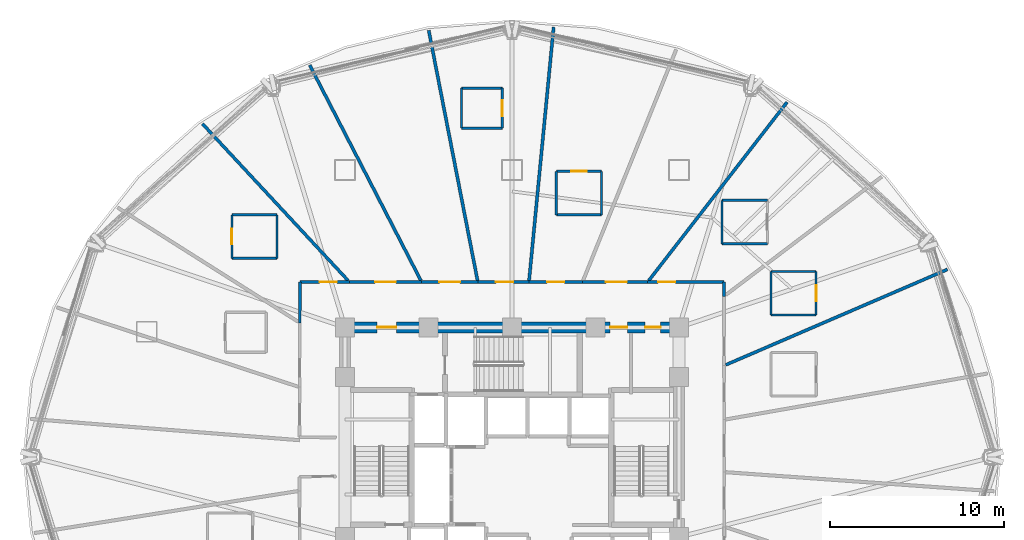
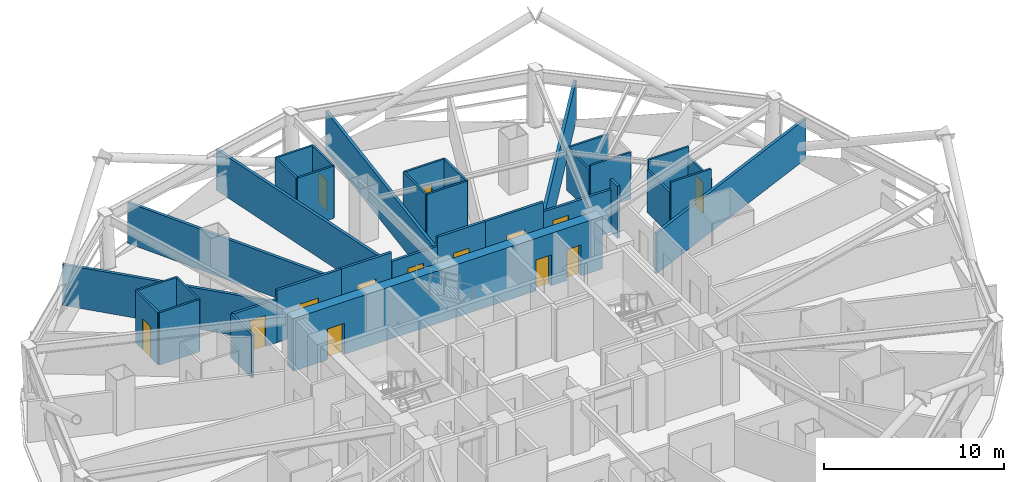
# One storey, part 10 of 16: 35 walls, 14 doors, 14 openings.
"""IFC4 building model written with IfcOpenShell, lengths in metres."""

from ifc_helpers import new_model, si_unit, direction, frame, frame_2d, origin, place, context, subcontext, project, spatial, rectangle, extrude, material, layer, layer_set, type_object, element, fill, save


model = new_model("IFC4")

# Units and contexts
model_context = context("Model", 3, precision=1e-05, world=origin(), true_north=direction((0.0, 1.0)))
body_context = subcontext(model_context, "Body", "Model", "MODEL_VIEW")
ifc_project = project(units=[si_unit("LENGTHUNIT", "METRE"), si_unit("AREAUNIT", "SQUARE_METRE"), si_unit("VOLUMEUNIT", "CUBIC_METRE"), si_unit("PLANEANGLEUNIT", "RADIAN"), si_unit("MASSUNIT", "GRAM", prefix="KILO")], contexts=[model_context])

# Site, building, storey
site_placement = place(None, origin())
site = spatial("IfcSite", under=ifc_project, at=site_placement, CompositionType="ELEMENT")
building_placement = place(site_placement, origin())
building = spatial("IfcBuilding", under=site, at=building_placement, Name="Vantalir Tower", CompositionType="ELEMENT")
storey_placement = place(building_placement, frame((0.0, 0.0, 64.5)))
storey = spatial("IfcBuildingStorey", under=building, at=storey_placement, Name="L15", CompositionType="ELEMENT", Elevation=64.5)

# Walls
ifc_material_1 = material(Name="Moisture-resistant en-suite partition", Category="gypsum")
ifc_layer_1 = layer(ifc_material_1, 0.125)
ifc_layer_set_1 = layer_set([ifc_layer_1], Name="Moisture-resistant en-suite partition")
wall_type_1 = type_object("IfcWallType", Name="WL-BATH-125", PredefinedType="PARTITIONING", material=ifc_layer_set_1)
for number, where, z_axis, x_axis, name in (
    (1, (46.386962890625, 33.1640625, 0.0), (0.0, 0.0, 1.0), (1.0, 0.0, 0.0), "L15 En-suite 02 South Wall"),
    (2, (46.386962890625, 35.6640625, 0.0), (0.0, 0.0, 1.0), (1.0, 0.0, 0.0), "L15 En-suite 02 North Wall"),
):
    element("IfcWall", number, at=place(storey_placement, frame(where, z_axis=z_axis, x_axis=x_axis)), inside=storey, type_object=wall_type_1, Name=name, PredefinedType="PARTITIONING", context=body_context, shape_type="SweptSolid", body=[
        extrude(rectangle(XDim=2.60009765625, YDim=0.125, at=frame_2d((1.300048828125, 0.0))), origin(), (0.0, 0.0, 1.0), 3.550048828125),
    ])
wall_1_placement = place(storey_placement, frame((46.386962890625, 33.1640625, 0.0), z_axis=(0.0, 0.0, 1.0), x_axis=(0.0, 1.0, 0.0)))
element("IfcWall", 3, at=wall_1_placement, inside=storey, type_object=wall_type_1, Name="L15 En-suite 02 West Wall", PredefinedType="PARTITIONING", context=body_context, shape_type="SweptSolid", body=[
    extrude(rectangle(XDim=2.5, YDim=0.125, at=frame_2d((1.25, 0.0))), origin(), (0.0, 0.0, 1.0), 2.887939453125),
])

# Wall, opening, door
wall_2_placement = place(storey_placement, frame((48.987060546875, 33.1640625, 0.0), z_axis=(0.0, 0.0, 1.0), x_axis=(0.0, 1.0, 0.0)))
wall_2 = element("IfcWall", 4, at=wall_2_placement, inside=storey, type_object=wall_type_1, Name="L15 En-suite 02 East Wall", PredefinedType="PARTITIONING", context=body_context, shape_type="SweptSolid", body=[
    extrude(rectangle(XDim=2.5, YDim=0.125, at=frame_2d((1.25, 0.0))), origin(), (0.0, 0.0, 1.0), 2.887939453125),
])
opening_1_placement = place(wall_2_placement, frame((0.800048828125, 0.0, 0.0)))
opening_1 = element("IfcOpeningElement", 5, at=opening_1_placement, cuts=wall_2, Name="Opening D-WC", PredefinedType="OPENING", context=body_context, shape_type="SweptSolid", body=[
    extrude(rectangle(XDim=0.89990234375, YDim=2.10009765625, at=frame_2d((0.449951171875, 1.050048828125))), frame((0.0, 0.072509765625, 0.0), z_axis=(0.0, -1.0, 0.0), x_axis=(1.0, 0.0, 0.0)), (0.0, 0.0, 1.0), 0.14501953125),
])
ifc_material_2 = material(Name="Moisture-resistant hardwood door", Category="wood")
door_type_1 = type_object("IfcDoorType", Name="DR-ENSUITE-900", OperationType="NOTDEFINED", PredefinedType="DOOR", material=ifc_material_2)
door_1_placement = place(opening_1_placement, origin())
door_1 = element("IfcDoor", 6, at=door_1_placement, inside=storey, type_object=door_type_1, Name="L15 En-suite 02 Door", OperationType="SINGLE_SWING_RIGHT", OverallHeight=2.10009765625, OverallWidth=0.89990234375, PredefinedType="DOOR", context=body_context, shape_type="SweptSolid", body=[
    extrude(rectangle(XDim=0.89990234375, YDim=2.10009765625, at=frame_2d((0.449951171875, 1.050048828125))), frame((0.0, 0.02490234375, 0.0), z_axis=(0.0, -1.0, 0.0), x_axis=(1.0, 0.0, 0.0)), (0.0, 0.0, 1.0), 0.050048828125),
])
fill(opening_1, door_1)

# Walls
wall_3_placement = place(storey_placement, frame((43.5830078125, 37.259033203125, 0.0), z_axis=(0.0, 0.0, 1.0), x_axis=(1.0, 0.0, 0.0)))
element("IfcWall", 7, at=wall_3_placement, inside=storey, type_object=wall_type_1, Name="L15 En-suite 03 South Wall", PredefinedType="PARTITIONING", context=body_context, shape_type="SweptSolid", body=[
    extrude(rectangle(XDim=2.60009765625, YDim=0.125, at=frame_2d((1.300048828125, 0.0))), origin(), (0.0, 0.0, 1.0), 3.177978515625),
])
wall_4_placement = place(storey_placement, frame((43.5830078125, 39.759033203125, 0.0), z_axis=(0.0, 0.0, 1.0), x_axis=(1.0, 0.0, 0.0)))
element("IfcWall", 8, at=wall_4_placement, inside=storey, type_object=wall_type_1, Name="L15 En-suite 03 North Wall", PredefinedType="PARTITIONING", context=body_context, shape_type="SweptSolid", body=[
    extrude(rectangle(XDim=2.60009765625, YDim=0.125, at=frame_2d((1.300048828125, 0.0))), origin(), (0.0, 0.0, 1.0), 2.887939453125),
])
wall_5_placement = place(storey_placement, frame((43.5830078125, 37.259033203125, 0.0), z_axis=(0.0, 0.0, 1.0), x_axis=(0.0, 1.0, 0.0)))
element("IfcWall", 9, at=wall_5_placement, inside=storey, type_object=wall_type_1, Name="L15 En-suite 03 West Wall", PredefinedType="PARTITIONING", context=body_context, shape_type="SweptSolid", body=[
    extrude(rectangle(XDim=2.5, YDim=0.125, at=frame_2d((1.25, 0.0))), origin(), (0.0, 0.0, 1.0), 2.887939453125),
])
wall_6_placement = place(storey_placement, frame((34.044921875, 38.927001953125, 0.0), z_axis=(0.0, 0.0, 1.0), x_axis=(1.0, 0.0, 0.0)))
element("IfcWall", 10, at=wall_6_placement, inside=storey, type_object=wall_type_1, Name="L15 En-suite 05 South Wall", PredefinedType="PARTITIONING", context=body_context, shape_type="SweptSolid", body=[
    extrude(rectangle(XDim=2.60009765625, YDim=0.125, at=frame_2d((1.300048828125, 0.0))), origin(), (0.0, 0.0, 1.0), 3.550048828125),
])

# Wall, opening, door
wall_7_placement = place(storey_placement, frame((34.044921875, 41.427001953125, 0.0), z_axis=(0.0, 0.0, 1.0), x_axis=(1.0, 0.0, 0.0)))
wall_7 = element("IfcWall", 11, at=wall_7_placement, inside=storey, type_object=wall_type_1, Name="L15 En-suite 05 North Wall", PredefinedType="PARTITIONING", context=body_context, shape_type="SweptSolid", body=[
    extrude(rectangle(XDim=2.60009765625, YDim=0.125, at=frame_2d((1.300048828125, 0.0))), origin(), (0.0, 0.0, 1.0), 3.550048828125),
])
opening_2_placement = place(wall_7_placement, frame((0.85009765625, 0.0, 0.0)))
opening_2 = element("IfcOpeningElement", 12, at=opening_2_placement, cuts=wall_7, Name="Opening D-WC", PredefinedType="OPENING", context=body_context, shape_type="SweptSolid", body=[
    extrude(rectangle(XDim=0.89990234375, YDim=2.10009765625, at=frame_2d((0.449951171875, 1.050048828125))), frame((0.0, 0.072509765625, 0.0), z_axis=(0.0, -1.0, 0.0), x_axis=(1.0, 0.0, 0.0)), (0.0, 0.0, 1.0), 0.14501953125),
])
door_2_placement = place(opening_2_placement, frame((0.89990234375, 0.0, 0.0), z_axis=(0.0, 0.0, 1.0), x_axis=(-1.0, 0.0, 0.0)))
door_2 = element("IfcDoor", 13, at=door_2_placement, inside=storey, type_object=door_type_1, Name="L15 En-suite 05 Door", OperationType="SINGLE_SWING_LEFT", OverallHeight=2.10009765625, OverallWidth=0.89990234375, PredefinedType="DOOR", context=body_context, shape_type="SweptSolid", body=[
    extrude(rectangle(XDim=0.89990234375, YDim=2.10009765625, at=frame_2d((0.449951171875, 1.050048828125))), frame((0.0, 0.02490234375, 0.0), z_axis=(0.0, -1.0, 0.0), x_axis=(1.0, 0.0, 0.0)), (0.0, 0.0, 1.0), 0.050048828125),
])
fill(opening_2, door_2)

# Walls
for number, where, z_axis, x_axis, name in (
    (14, (34.044921875, 38.927001953125, 0.0), (0.0, 0.0, 1.0), (0.0, 1.0, 0.0), "L15 En-suite 05 West Wall"),
    (15, (36.64501953125, 38.927001953125, 0.0), (0.0, 0.0, 1.0), (0.0, 1.0, 0.0), "L15 En-suite 05 East Wall"),
):
    element("IfcWall", number, at=place(storey_placement, frame(where, z_axis=z_axis, x_axis=x_axis)), inside=storey, type_object=wall_type_1, Name=name, PredefinedType="PARTITIONING", context=body_context, shape_type="SweptSolid", body=[
        extrude(rectangle(XDim=2.5, YDim=0.125, at=frame_2d((1.25, 0.0))), origin(), (0.0, 0.0, 1.0), 3.550048828125),
    ])
for number, where, z_axis, x_axis, name in (
    (16, (28.593017578125, 43.906005859375, 0.0), (0.0, 0.0, 1.0), (1.0, 0.0, 0.0), "L15 En-suite 06 South Wall"),
    (17, (28.593017578125, 46.2060546875, 0.0), (0.0, 0.0, 1.0), (1.0, 0.0, 0.0), "L15 En-suite 06 North Wall"),
):
    element("IfcWall", number, at=place(storey_placement, frame(where, z_axis=z_axis, x_axis=x_axis)), inside=storey, type_object=wall_type_1, Name=name, PredefinedType="PARTITIONING", context=body_context, shape_type="SweptSolid", body=[
        extrude(rectangle(XDim=2.35009765625, YDim=0.125, at=frame_2d((1.175048828125, 0.0))), origin(), (0.0, 0.0, 1.0), 3.550048828125),
    ])
wall_8_placement = place(storey_placement, frame((28.593017578125, 43.906005859375, 0.0), z_axis=(0.0, 0.0, 1.0), x_axis=(0.0, 1.0, 0.0)))
element("IfcWall", 18, at=wall_8_placement, inside=storey, type_object=wall_type_1, Name="L15 En-suite 06 West Wall", PredefinedType="PARTITIONING", context=body_context, shape_type="SweptSolid", body=[
    extrude(rectangle(XDim=2.300048828125, YDim=0.125, at=frame_2d((1.14990234375, 0.0))), origin(), (0.0, 0.0, 1.0), 3.550048828125),
])

# Wall, opening, door
wall_9_placement = place(storey_placement, frame((30.943115234375, 43.906005859375, 0.0), z_axis=(0.0, 0.0, 1.0), x_axis=(0.0, 1.0, 0.0)))
wall_9 = element("IfcWall", 19, at=wall_9_placement, inside=storey, type_object=wall_type_1, Name="L15 En-suite 06 East Wall", PredefinedType="PARTITIONING", context=body_context, shape_type="SweptSolid", body=[
    extrude(rectangle(XDim=2.300048828125, YDim=0.125, at=frame_2d((1.14990234375, 0.0))), origin(), (0.0, 0.0, 1.0), 3.550048828125),
])
opening_3_placement = place(wall_9_placement, frame((0.699951171875, 0.0, 0.0)))
opening_3 = element("IfcOpeningElement", 20, at=opening_3_placement, cuts=wall_9, Name="Opening D-WC", PredefinedType="OPENING", context=body_context, shape_type="SweptSolid", body=[
    extrude(rectangle(XDim=0.89990234375, YDim=2.10009765625, at=frame_2d((0.449951171875, 1.050048828125))), frame((0.0, 0.072509765625, 0.0), z_axis=(0.0, -1.0, 0.0), x_axis=(1.0, 0.0, 0.0)), (0.0, 0.0, 1.0), 0.14501953125),
])
door_3_placement = place(opening_3_placement, origin())
door_3 = element("IfcDoor", 21, at=door_3_placement, inside=storey, type_object=door_type_1, Name="L15 En-suite 06 Door", OperationType="SINGLE_SWING_RIGHT", OverallHeight=2.10009765625, OverallWidth=0.89990234375, PredefinedType="DOOR", context=body_context, shape_type="SweptSolid", body=[
    extrude(rectangle(XDim=0.89990234375, YDim=2.10009765625, at=frame_2d((0.449951171875, 1.050048828125))), frame((0.0, 0.02490234375, 0.0), z_axis=(0.0, -1.0, 0.0), x_axis=(1.0, 0.0, 0.0)), (0.0, 0.0, 1.0), 0.050048828125),
])
fill(opening_3, door_3)

# Walls
for number, where, z_axis, x_axis, name in (
    (22, (15.39697265625, 36.426025390625, 0.0), (0.0, 0.0, 1.0), (1.0, 0.0, 0.0), "L15 En-suite 09 South Wall"),
    (23, (15.39697265625, 38.926025390625, 0.0), (0.0, 0.0, 1.0), (1.0, 0.0, 0.0), "L15 En-suite 09 North Wall"),
):
    element("IfcWall", number, at=place(storey_placement, frame(where, z_axis=z_axis, x_axis=x_axis)), inside=storey, type_object=wall_type_1, Name=name, PredefinedType="PARTITIONING", context=body_context, shape_type="SweptSolid", body=[
        extrude(rectangle(XDim=2.60009765625, YDim=0.125, at=frame_2d((1.300048828125, 0.0))), origin(), (0.0, 0.0, 1.0), 3.550048828125),
    ])

# Wall, opening, door
wall_10_placement = place(storey_placement, frame((15.39697265625, 36.426025390625, 0.0), z_axis=(0.0, 0.0, 1.0), x_axis=(0.0, 1.0, 0.0)))
wall_10 = element("IfcWall", 24, at=wall_10_placement, inside=storey, type_object=wall_type_1, Name="L15 En-suite 09 West Wall", PredefinedType="PARTITIONING", context=body_context, shape_type="SweptSolid", body=[
    extrude(rectangle(XDim=2.5, YDim=0.125, at=frame_2d((1.25, 0.0))), origin(), (0.0, 0.0, 1.0), 3.550048828125),
])
opening_4_placement = place(wall_10_placement, frame((0.800048828125, 0.0, 0.0)))
opening_4 = element("IfcOpeningElement", 25, at=opening_4_placement, cuts=wall_10, Name="Opening D-WC", PredefinedType="OPENING", context=body_context, shape_type="SweptSolid", body=[
    extrude(rectangle(XDim=0.89990234375, YDim=2.10009765625, at=frame_2d((0.449951171875, 1.050048828125))), frame((0.0, 0.072509765625, 0.0), z_axis=(0.0, -1.0, 0.0), x_axis=(1.0, 0.0, 0.0)), (0.0, 0.0, 1.0), 0.14501953125),
])
door_4_placement = place(opening_4_placement, frame((0.89990234375, 0.0, 0.0), z_axis=(0.0, 0.0, 1.0), x_axis=(-1.0, 0.0, 0.0)))
door_4 = element("IfcDoor", 26, at=door_4_placement, inside=storey, type_object=door_type_1, Name="L15 En-suite 09 Door", OperationType="SINGLE_SWING_LEFT", OverallHeight=2.10009765625, OverallWidth=0.89990234375, PredefinedType="DOOR", context=body_context, shape_type="SweptSolid", body=[
    extrude(rectangle(XDim=0.89990234375, YDim=2.10009765625, at=frame_2d((0.449951171875, 1.050048828125))), frame((0.0, 0.02490234375, 0.0), z_axis=(0.0, -1.0, 0.0), x_axis=(1.0, 0.0, 0.0)), (0.0, 0.0, 1.0), 0.050048828125),
])
fill(opening_4, door_4)

# Wall
wall_11_placement = place(storey_placement, frame((17.9970703125, 36.426025390625, 0.0), z_axis=(0.0, 0.0, 1.0), x_axis=(0.0, 1.0, 0.0)))
element("IfcWall", 27, at=wall_11_placement, inside=storey, type_object=wall_type_1, Name="L15 En-suite 09 East Wall", PredefinedType="PARTITIONING", context=body_context, shape_type="SweptSolid", body=[
    extrude(rectangle(XDim=2.5, YDim=0.125, at=frame_2d((1.25, 0.0))), origin(), (0.0, 0.0, 1.0), 3.550048828125),
])

# Wall, openings, doors
ifc_material_3 = material(Name="Concrete C60/75", Category="concrete")
ifc_layer_2 = layer(ifc_material_3, 0.64990234375)
ifc_layer_set_2 = layer_set([ifc_layer_2], Name="Concrete C60/75")
wall_type_2 = type_object("IfcWallType", Name="WL-CORE-650", PredefinedType="SHEAR", material=ifc_layer_set_2)
wall_12_placement = place(storey_placement, frame((21.574951171875, 32.449951171875, 0.0), z_axis=(0.0, 0.0, 1.0), x_axis=(1.0, 0.0, 0.0)))
wall_12 = element("IfcWall", 28, at=wall_12_placement, inside=storey, type_object=wall_type_2, Name="L15 Core Shear Wall North", PredefinedType="SHEAR", context=body_context, shape_type="SweptSolid", body=[
    extrude(rectangle(XDim=19.85009765625, YDim=0.64990234375, at=frame_2d((9.925048828125, 0.0))), origin(), (0.0, 0.0, 1.0), 3.570068359375),
])
opening_5_placement = place(wall_12_placement, frame((2.175048828125, 0.0, 0.0)))
opening_5 = element("IfcOpeningElement", 29, at=opening_5_placement, cuts=wall_12, Name="Opening D-FFL", PredefinedType="OPENING", context=body_context, shape_type="SweptSolid", body=[
    extrude(rectangle(XDim=1.10009765625, YDim=2.10009765625, at=frame_2d((0.550048828125, 1.050048828125))), frame((0.0, 0.3349609375, 0.0), z_axis=(0.0, -1.0, 0.0), x_axis=(1.0, 0.0, 0.0)), (0.0, 0.0, 1.0), 0.669921875),
])
opening_6_placement = place(wall_12_placement, frame((15.56494140625, 0.0, 0.0)))
opening_6 = element("IfcOpeningElement", 30, at=opening_6_placement, cuts=wall_12, Name="Opening D-GUEST", PredefinedType="OPENING", context=body_context, shape_type="SweptSolid", body=[
    extrude(rectangle(XDim=1.0, YDim=2.10009765625, at=frame_2d((0.5, 1.050048828125))), frame((0.0, 0.3349609375, 0.0), z_axis=(0.0, -1.0, 0.0), x_axis=(1.0, 0.0, 0.0)), (0.0, 0.0, 1.0), 0.669921875),
])
opening_7_placement = place(wall_12_placement, frame((17.574951171875, 0.0, 0.0)))
opening_7 = element("IfcOpeningElement", 31, at=opening_7_placement, cuts=wall_12, Name="Opening D-CR", PredefinedType="OPENING", context=body_context, shape_type="SweptSolid", body=[
    extrude(rectangle(XDim=0.89990234375, YDim=2.10009765625, at=frame_2d((0.449951171875, 1.050048828125))), frame((0.0, 0.3349609375, 0.0), z_axis=(0.0, -1.0, 0.0), x_axis=(1.0, 0.0, 0.0)), (0.0, 0.0, 1.0), 0.669921875),
])
ifc_material_4 = material(Name="Fire-rated steel core service door", Category="steel")
door_type_2 = type_object("IfcDoorType", Name="DR-CORE-SERV-900", OperationType="NOTDEFINED", PredefinedType="DOOR", material=ifc_material_4)
door_5_placement = place(opening_7_placement, frame((0.89990234375, 0.0, 0.0), z_axis=(0.0, 0.0, 1.0), x_axis=(-1.0, 0.0, 0.0)))
door_5 = element("IfcDoor", 32, at=door_5_placement, inside=storey, type_object=door_type_2, Name="L15 Housekeeping and Linen Room Door", OperationType="SINGLE_SWING_RIGHT", OverallHeight=2.10009765625, OverallWidth=0.89990234375, PredefinedType="DOOR", context=body_context, shape_type="SweptSolid", body=[
    extrude(rectangle(XDim=0.89990234375, YDim=2.10009765625, at=frame_2d((0.449951171875, 1.050048828125))), frame((0.0, 0.02490234375, 0.0), z_axis=(0.0, -1.0, 0.0), x_axis=(1.0, 0.0, 0.0)), (0.0, 0.0, 1.0), 0.050048828125),
])
fill(opening_7, door_5)
ifc_material_5 = material(Name="Fire-rated acoustic steel door", Category="steel")
door_type_3 = type_object("IfcDoorType", Name="DR-FIRE-LOBBY-1100", OperationType="NOTDEFINED", PredefinedType="DOOR", material=ifc_material_5)
door_6_placement = place(opening_5_placement, frame((1.10009765625, 0.0, 0.0), z_axis=(0.0, 0.0, 1.0), x_axis=(-1.0, 0.0, 0.0)))
door_6 = element("IfcDoor", 33, at=door_6_placement, inside=storey, type_object=door_type_3, Name="L15 Firefighting Lobby East Access Door", OperationType="SINGLE_SWING_LEFT", OverallHeight=2.10009765625, OverallWidth=1.10009765625, PredefinedType="DOOR", context=body_context, shape_type="SweptSolid", body=[
    extrude(rectangle(XDim=1.10009765625, YDim=2.10009765625, at=frame_2d((0.550048828125, 1.050048828125))), frame((0.0, 0.02490234375, 0.0), z_axis=(0.0, -1.0, 0.0), x_axis=(1.0, 0.0, 0.0)), (0.0, 0.0, 1.0), 0.050048828125),
])
fill(opening_5, door_6)
ifc_material_6 = material(Name="Solid-core teak veneer acoustic fire door", Category="wood")
door_type_4 = type_object("IfcDoorType", Name="DR-GUEST-ENTRY-1000", OperationType="NOTDEFINED", PredefinedType="DOOR", material=ifc_material_6)
door_7_placement = place(opening_6_placement, frame((1.0, 0.0, 0.0), z_axis=(0.0, 0.0, 1.0), x_axis=(-1.0, 0.0, 0.0)))
door_7 = element("IfcDoor", 34, at=door_7_placement, inside=storey, type_object=door_type_4, Name="L15 High-Rise Lift Lobby Door", OperationType="SINGLE_SWING_LEFT", OverallHeight=2.10009765625, OverallWidth=1.0, PredefinedType="DOOR", context=body_context, shape_type="SweptSolid", body=[
    extrude(rectangle(XDim=1.0, YDim=2.10009765625, at=frame_2d((0.5, 1.050048828125))), frame((0.0, 0.02490234375, 0.0), z_axis=(0.0, -1.0, 0.0), x_axis=(1.0, 0.0, 0.0)), (0.0, 0.0, 1.0), 0.050048828125),
])
fill(opening_6, door_7)

# Wall
ifc_material_7 = material(Name="Fire-rated hotel corridor acoustic partition", Category="gypsum")
ifc_layer_3 = layer(ifc_material_7, 0.159912109375)
ifc_layer_set_3 = layer_set([ifc_layer_3], Name="Fire-rated hotel corridor acoustic partition")
wall_type_3 = type_object("IfcWallType", Name="WL-CORR-160", PredefinedType="PARTITIONING", material=ifc_layer_set_3)
wall_13_placement = place(storey_placement, frame((19.301025390625, 32.715087890625, 0.0), z_axis=(0.0, 0.0, 1.0), x_axis=(0.002082244315, 0.999997832127, 0.0)))
element("IfcWall", 35, at=wall_13_placement, inside=storey, type_object=wall_type_3, Name="L15 Corridor Partition 04", PredefinedType="PARTITIONING", context=body_context, shape_type="SweptSolid", body=[
    extrude(rectangle(XDim=2.344970703125, YDim=0.159912109375, at=frame_2d((1.17236328125, 0.0))), origin(), (0.0, 0.0, 1.0), 2.927978515625),
])

# Wall, opening, door
wall_14_placement = place(storey_placement, frame((19.305908203125, 35.06005859375, 0.0), z_axis=(0.0, 0.0, 1.0), x_axis=(1.0, 0.0, 0.0)))
wall_14 = element("IfcWall", 36, at=wall_14_placement, inside=storey, type_object=wall_type_3, Name="L15 Corridor Partition 05", PredefinedType="PARTITIONING", context=body_context, shape_type="SweptSolid", body=[
    extrude(rectangle(XDim=2.84814453125, YDim=0.159912109375, at=frame_2d((1.424072265625, 0.0))), origin(), (0.0, 0.0, 1.0), 2.927978515625),
])
opening_8_placement = place(wall_14_placement, frame((1.132080078125, 0.0, 0.0)))
opening_8 = element("IfcOpeningElement", 37, at=opening_8_placement, cuts=wall_14, Name="Opening D-GUEST", PredefinedType="OPENING", context=body_context, shape_type="SweptSolid", body=[
    extrude(rectangle(XDim=1.0, YDim=2.10009765625, at=frame_2d((0.5, 1.050048828125))), frame((0.0, 0.08984375, 0.0), z_axis=(0.0, -1.0, 0.0), x_axis=(1.0, 0.0, 0.0)), (0.0, 0.0, 1.0), 0.179931640625),
])
door_8_placement = place(opening_8_placement, origin())
door_8 = element("IfcDoor", 38, at=door_8_placement, inside=storey, type_object=door_type_4, Name="L15 Twin Queen Hotel Room 09 Door", OperationType="SINGLE_SWING_LEFT", OverallHeight=2.10009765625, OverallWidth=1.0, PredefinedType="DOOR", context=body_context, shape_type="SweptSolid", body=[
    extrude(rectangle(XDim=1.0, YDim=2.10009765625, at=frame_2d((0.5, 1.050048828125))), frame((0.0, 0.02490234375, 0.0), z_axis=(0.0, -1.0, 0.0), x_axis=(1.0, 0.0, 0.0)), (0.0, 0.0, 1.0), 0.050048828125),
])
fill(opening_8, door_8)

wall_15_placement = place(storey_placement, frame((22.154052734375, 35.06005859375, 0.0), z_axis=(0.0, 0.0, 1.0), x_axis=(1.0, 0.0, 0.0)))
wall_15 = element("IfcWall", 39, at=wall_15_placement, inside=storey, type_object=wall_type_3, Name="L15 Corridor Partition 06", PredefinedType="PARTITIONING", context=body_context, shape_type="SweptSolid", body=[
    extrude(rectangle(XDim=4.15185546875, YDim=0.159912109375, at=frame_2d((2.075927734375, 0.0))), origin(), (0.0, 0.0, 1.0), 3.550048828125),
])
opening_9_placement = place(wall_15_placement, frame((1.47607421875, 0.0, 0.0)))
opening_9 = element("IfcOpeningElement", 40, at=opening_9_placement, cuts=wall_15, Name="Opening D-STE", PredefinedType="OPENING", context=body_context, shape_type="SweptSolid", body=[
    extrude(rectangle(XDim=1.199951171875, YDim=2.10009765625, at=frame_2d((0.60009765625, 1.050048828125))), frame((0.0, 0.08984375, 0.0), z_axis=(0.0, -1.0, 0.0), x_axis=(1.0, 0.0, 0.0)), (0.0, 0.0, 1.0), 0.179931640625),
])
ifc_material_8 = material(Name="Solid-core teak veneer suite entrance door", Category="wood")
door_type_5 = type_object("IfcDoorType", Name="DR-SUITE-ENTRY-1200", OperationType="NOTDEFINED", PredefinedType="DOOR", material=ifc_material_8)
door_9_placement = place(opening_9_placement, origin())
door_9 = element("IfcDoor", 41, at=door_9_placement, inside=storey, type_object=door_type_5, Name="L15 Executive Sky Boardroom 08 Door", OperationType="SINGLE_SWING_RIGHT", OverallHeight=2.10009765625, OverallWidth=1.199951171875, PredefinedType="DOOR", context=body_context, shape_type="SweptSolid", body=[
    extrude(rectangle(XDim=1.199951171875, YDim=2.10009765625, at=frame_2d((0.60009765625, 1.050048828125))), frame((0.0, 0.02490234375, 0.0), z_axis=(0.0, -1.0, 0.0), x_axis=(1.0, 0.0, 0.0)), (0.0, 0.0, 1.0), 0.050048828125),
])
fill(opening_9, door_9)

wall_16_placement = place(storey_placement, frame((26.305908203125, 35.06005859375, 0.0), z_axis=(0.0, 0.0, 1.0), x_axis=(1.0, 0.0, 0.0)))
wall_16 = element("IfcWall", 42, at=wall_16_placement, inside=storey, type_object=wall_type_3, Name="L15 Corridor Partition 07", PredefinedType="PARTITIONING", context=body_context, shape_type="SweptSolid", body=[
    extrude(rectangle(XDim=3.22998046875, YDim=0.159912109375, at=frame_2d((1.614990234375, 0.0))), origin(), (0.0, 0.0, 1.0), 3.550048828125),
])
opening_10_placement = place(wall_16_placement, frame((1.014892578125, 0.0, 0.0)))
opening_10 = element("IfcOpeningElement", 43, at=opening_10_placement, cuts=wall_16, Name="Opening D-STE", PredefinedType="OPENING", context=body_context, shape_type="SweptSolid", body=[
    extrude(rectangle(XDim=1.199951171875, YDim=2.10009765625, at=frame_2d((0.60009765625, 1.050048828125))), frame((0.0, 0.08984375, 0.0), z_axis=(0.0, -1.0, 0.0), x_axis=(1.0, 0.0, 0.0)), (0.0, 0.0, 1.0), 0.179931640625),
])
door_10_placement = place(opening_10_placement, origin())
door_10 = element("IfcDoor", 44, at=door_10_placement, inside=storey, type_object=door_type_5, Name="L15 Club Reading Lounge 07 Door", OperationType="SINGLE_SWING_LEFT", OverallHeight=2.10009765625, OverallWidth=1.199951171875, PredefinedType="DOOR", context=body_context, shape_type="SweptSolid", body=[
    extrude(rectangle(XDim=1.199951171875, YDim=2.10009765625, at=frame_2d((0.60009765625, 1.050048828125))), frame((0.0, 0.02490234375, 0.0), z_axis=(0.0, -1.0, 0.0), x_axis=(1.0, 0.0, 0.0)), (0.0, 0.0, 1.0), 0.050048828125),
])
fill(opening_10, door_10)

wall_17_placement = place(storey_placement, frame((29.535888671875, 35.06005859375, 0.0), z_axis=(0.0, 0.0, 1.0), x_axis=(1.0, 0.0, 0.0)))
wall_17 = element("IfcWall", 45, at=wall_17_placement, inside=storey, type_object=wall_type_3, Name="L15 Corridor Partition 08", PredefinedType="PARTITIONING", context=body_context, shape_type="SweptSolid", body=[
    extrude(rectangle(XDim=2.939208984375, YDim=0.159912109375, at=frame_2d((1.4697265625, 0.0))), origin(), (0.0, 0.0, 1.0), 2.927978515625),
])
opening_11_placement = place(wall_17_placement, frame((1.04296875, 0.0, 0.0)))
opening_11 = element("IfcOpeningElement", 46, at=opening_11_placement, cuts=wall_17, Name="Opening D-GUEST", PredefinedType="OPENING", context=body_context, shape_type="SweptSolid", body=[
    extrude(rectangle(XDim=1.0, YDim=2.10009765625, at=frame_2d((0.5, 1.050048828125))), frame((0.0, 0.08984375, 0.0), z_axis=(0.0, -1.0, 0.0), x_axis=(1.0, 0.0, 0.0)), (0.0, 0.0, 1.0), 0.179931640625),
])
door_11_placement = place(opening_11_placement, origin())
door_11 = element("IfcDoor", 47, at=door_11_placement, inside=storey, type_object=door_type_4, Name="L15 Deluxe King Hotel Room 06 Door", OperationType="SINGLE_SWING_RIGHT", OverallHeight=2.10009765625, OverallWidth=1.0, PredefinedType="DOOR", context=body_context, shape_type="SweptSolid", body=[
    extrude(rectangle(XDim=1.0, YDim=2.10009765625, at=frame_2d((0.5, 1.050048828125))), frame((0.0, 0.02490234375, 0.0), z_axis=(0.0, -1.0, 0.0), x_axis=(1.0, 0.0, 0.0)), (0.0, 0.0, 1.0), 0.050048828125),
])
fill(opening_11, door_11)

wall_18_placement = place(storey_placement, frame((32.47509765625, 35.06005859375, 0.0), z_axis=(0.0, 0.0, 1.0), x_axis=(1.0, 0.0, 0.0)))
wall_18 = element("IfcWall", 48, at=wall_18_placement, inside=storey, type_object=wall_type_3, Name="L15 Corridor Partition 09", PredefinedType="PARTITIONING", context=body_context, shape_type="SweptSolid", body=[
    extrude(rectangle(XDim=3.078857421875, YDim=0.159912109375, at=frame_2d((1.53955078125, 0.0))), origin(), (0.0, 0.0, 1.0), 3.550048828125),
])
opening_12_placement = place(wall_18_placement, frame((1.0400390625, 0.0, 0.0)))
opening_12 = element("IfcOpeningElement", 49, at=opening_12_placement, cuts=wall_18, Name="Opening D-GUEST", PredefinedType="OPENING", context=body_context, shape_type="SweptSolid", body=[
    extrude(rectangle(XDim=1.0, YDim=2.10009765625, at=frame_2d((0.5, 1.050048828125))), frame((0.0, 0.08984375, 0.0), z_axis=(0.0, -1.0, 0.0), x_axis=(1.0, 0.0, 0.0)), (0.0, 0.0, 1.0), 0.179931640625),
])
door_12_placement = place(opening_12_placement, origin())
door_12 = element("IfcDoor", 50, at=door_12_placement, inside=storey, type_object=door_type_4, Name="L15 Twin Queen Hotel Room 05 Door", OperationType="SINGLE_SWING_LEFT", OverallHeight=2.10009765625, OverallWidth=1.0, PredefinedType="DOOR", context=body_context, shape_type="SweptSolid", body=[
    extrude(rectangle(XDim=1.0, YDim=2.10009765625, at=frame_2d((0.5, 1.050048828125))), frame((0.0, 0.02490234375, 0.0), z_axis=(0.0, -1.0, 0.0), x_axis=(1.0, 0.0, 0.0)), (0.0, 0.0, 1.0), 0.050048828125),
])
fill(opening_12, door_12)

wall_19_placement = place(storey_placement, frame((35.553955078125, 35.06005859375, 0.0), z_axis=(0.0, 0.0, 1.0), x_axis=(1.0, 0.0, 0.0)))
wall_19 = element("IfcWall", 51, at=wall_19_placement, inside=storey, type_object=wall_type_3, Name="L15 Corridor Partition 10", PredefinedType="PARTITIONING", context=body_context, shape_type="SweptSolid", body=[
    extrude(rectangle(XDim=3.7451171875, YDim=0.159912109375, at=frame_2d((1.87255859375, 0.0))), origin(), (0.0, 0.0, 1.0), 3.550048828125),
])
opening_13_placement = place(wall_19_placement, frame((1.346923828125, 0.0, 0.0)))
opening_13 = element("IfcOpeningElement", 52, at=opening_13_placement, cuts=wall_19, Name="Opening D-STE", PredefinedType="OPENING", context=body_context, shape_type="SweptSolid", body=[
    extrude(rectangle(XDim=1.199951171875, YDim=2.10009765625, at=frame_2d((0.60009765625, 1.050048828125))), frame((0.0, 0.08984375, 0.0), z_axis=(0.0, -1.0, 0.0), x_axis=(1.0, 0.0, 0.0)), (0.0, 0.0, 1.0), 0.179931640625),
])
door_13_placement = place(opening_13_placement, origin())
door_13 = element("IfcDoor", 53, at=door_13_placement, inside=storey, type_object=door_type_5, Name="L15 Club Reading Lounge 04 Door", OperationType="SINGLE_SWING_RIGHT", OverallHeight=2.10009765625, OverallWidth=1.199951171875, PredefinedType="DOOR", context=body_context, shape_type="SweptSolid", body=[
    extrude(rectangle(XDim=1.199951171875, YDim=2.10009765625, at=frame_2d((0.60009765625, 1.050048828125))), frame((0.0, 0.02490234375, 0.0), z_axis=(0.0, -1.0, 0.0), x_axis=(1.0, 0.0, 0.0)), (0.0, 0.0, 1.0), 0.050048828125),
])
fill(opening_13, door_13)

wall_20_placement = place(storey_placement, frame((39.299072265625, 35.06005859375, 0.0), z_axis=(0.0, 0.0, 1.0), x_axis=(1.0, 0.0, 0.0)))
wall_20 = element("IfcWall", 54, at=wall_20_placement, inside=storey, type_object=wall_type_3, Name="L15 Corridor Partition 11", PredefinedType="PARTITIONING", context=body_context, shape_type="SweptSolid", body=[
    extrude(rectangle(XDim=4.39501953125, YDim=0.159912109375, at=frame_2d((2.197509765625, 0.0))), origin(), (0.0, 0.0, 1.0), 2.887939453125),
])
opening_14_placement = place(wall_20_placement, frame((0.59912109375, 0.0, 0.0)))
opening_14 = element("IfcOpeningElement", 55, at=opening_14_placement, cuts=wall_20, Name="Opening D-GUEST", PredefinedType="OPENING", context=body_context, shape_type="SweptSolid", body=[
    extrude(rectangle(XDim=1.0, YDim=2.10009765625, at=frame_2d((0.5, 1.050048828125))), frame((0.0, 0.08984375, 0.0), z_axis=(0.0, -1.0, 0.0), x_axis=(1.0, 0.0, 0.0)), (0.0, 0.0, 1.0), 0.179931640625),
])
door_14_placement = place(opening_14_placement, origin())
door_14 = element("IfcDoor", 56, at=door_14_placement, inside=storey, type_object=door_type_4, Name="L15 Deluxe King Hotel Room 03 Door", OperationType="SINGLE_SWING_LEFT", OverallHeight=2.10009765625, OverallWidth=1.0, PredefinedType="DOOR", context=body_context, shape_type="SweptSolid", body=[
    extrude(rectangle(XDim=1.0, YDim=2.10009765625, at=frame_2d((0.5, 1.050048828125))), frame((0.0, 0.02490234375, 0.0), z_axis=(0.0, -1.0, 0.0), x_axis=(1.0, 0.0, 0.0)), (0.0, 0.0, 1.0), 0.050048828125),
])
fill(opening_14, door_14)

# Walls
wall_21_placement = place(storey_placement, frame((43.694091796875, 35.06005859375, 0.0), z_axis=(0.0, 0.0, 1.0), x_axis=(0.0, -1.0, 0.0)))
element("IfcWall", 57, at=wall_21_placement, inside=storey, type_object=wall_type_3, Name="L15 Corridor Partition 12", PredefinedType="PARTITIONING", context=body_context, shape_type="SweptSolid", body=[
    extrude(rectangle(XDim=0.818115234375, YDim=0.159912109375, at=frame_2d((0.4091796875, 0.0))), origin(), (0.0, 0.0, 1.0), 3.550048828125),
])
ifc_material_9 = material(Name="Twin-stud acoustic fire-rated gypsum partition", Category="gypsum")
ifc_layer_4 = layer(ifc_material_9, 0.179931640625)
ifc_layer_set_4 = layer_set([ifc_layer_4], Name="Twin-stud acoustic fire-rated gypsum partition")
wall_type_4 = type_object("IfcWallType", Name="WL-GUEST-180", PredefinedType="PARTITIONING", material=ifc_layer_set_4)
wall_22_placement = place(storey_placement, frame((43.7900390625, 30.294921875, 0.0), z_axis=(0.0, 0.0, 1.0), x_axis=(0.918393435046, 0.395668419846, 0.0)))
element("IfcWall", 58, at=wall_22_placement, inside=storey, type_object=wall_type_4, Name="L15 Radial Suite Partition 02", PredefinedType="PARTITIONING", context=body_context, shape_type="SweptSolid", body=[
    extrude(rectangle(XDim=13.875244140625, YDim=0.179931640625, at=frame_2d((6.9375, 0.0))), origin(), (0.0, 0.0, 1.0), 2.735107421875),
])
wall_23_placement = place(storey_placement, frame((39.361083984375, 35.139892578125, 0.0), z_axis=(0.0, 0.0, 1.0), x_axis=(0.612637755807, 0.790363827714, 0.0)))
element("IfcWall", 59, at=wall_23_placement, inside=storey, type_object=wall_type_4, Name="L15 Radial Suite Partition 04", PredefinedType="PARTITIONING", context=body_context, shape_type="SweptSolid", body=[
    extrude(rectangle(XDim=12.9814453125, YDim=0.179931640625, at=frame_2d((6.49072265625, 0.0))), origin(), (0.0, 0.0, 1.0), 2.735107421875),
])
wall_24_placement = place(storey_placement, frame((32.48193359375, 35.139892578125, 0.0), z_axis=(0.0, 0.0, 1.0), x_axis=(0.096439292658, 0.995338868342, 0.0)))
element("IfcWall", 60, at=wall_24_placement, inside=storey, type_object=wall_type_4, Name="L15 Radial Suite Partition 06", PredefinedType="PARTITIONING", context=body_context, shape_type="SweptSolid", body=[
    extrude(rectangle(XDim=14.642578125, YDim=0.179931640625, at=frame_2d((7.3212890625, 0.0))), origin(), (0.0, 0.0, 1.0), 2.735107421875),
])
wall_25_placement = place(storey_placement, frame((29.52099609375, 35.139892578125, 0.0), z_axis=(0.0, 0.0, 1.0), x_axis=(-0.19163010074, 0.981467220283, 0.0)))
element("IfcWall", 61, at=wall_25_placement, inside=storey, type_object=wall_type_4, Name="L15 Radial Suite Partition 07", PredefinedType="PARTITIONING", context=body_context, shape_type="SweptSolid", body=[
    extrude(rectangle(XDim=14.658935546875, YDim=0.179931640625, at=frame_2d((7.32958984375, 0.0))), origin(), (0.0, 0.0, 1.0), 2.77490234375),
])
wall_26_placement = place(storey_placement, frame((26.264892578125, 35.139892578125, 0.0), z_axis=(0.0, 0.0, 1.0), x_axis=(-0.458704466824, 0.888588888134, 0.0)))
element("IfcWall", 62, at=wall_26_placement, inside=storey, type_object=wall_type_4, Name="L15 Radial Suite Partition 08", PredefinedType="PARTITIONING", context=body_context, shape_type="SweptSolid", body=[
    extrude(rectangle(XDim=13.943603515625, YDim=0.179931640625, at=frame_2d((6.9716796875, 0.0))), origin(), (0.0, 0.0, 1.0), 2.77490234375),
])
wall_27_placement = place(storey_placement, frame((22.080078125, 35.139892578125, 0.0), z_axis=(0.0, 0.0, 1.0), x_axis=(-0.680639721347, 0.732618297427, 0.0)))
element("IfcWall", 63, at=wall_27_placement, inside=storey, type_object=wall_type_4, Name="L15 Radial Suite Partition 09", PredefinedType="PARTITIONING", context=body_context, shape_type="SweptSolid", body=[
    extrude(rectangle(XDim=12.310791015625, YDim=0.179931640625, at=frame_2d((6.1552734375, 0.0))), origin(), (0.0, 0.0, 1.0), 2.77490234375),
])

save(model, "model.ifc")
